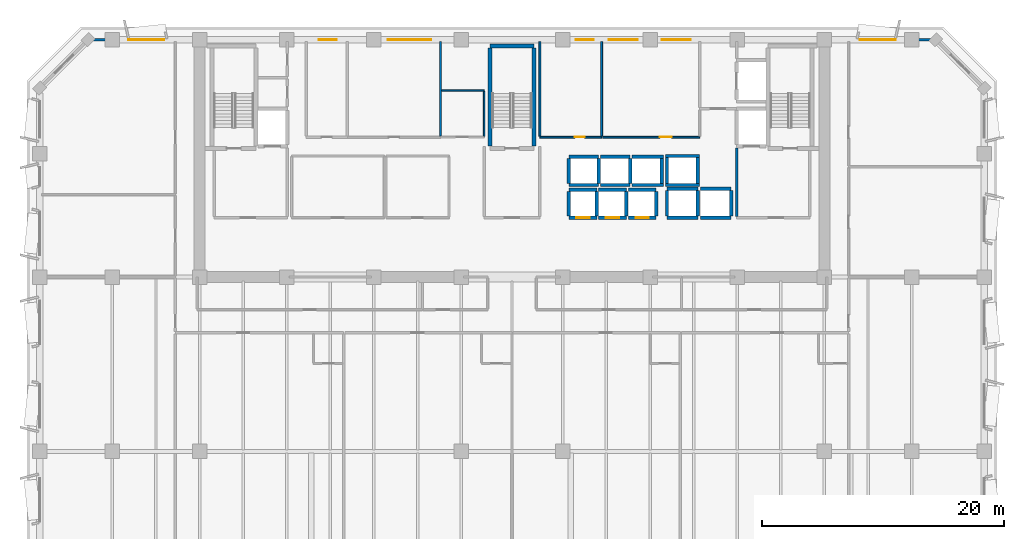
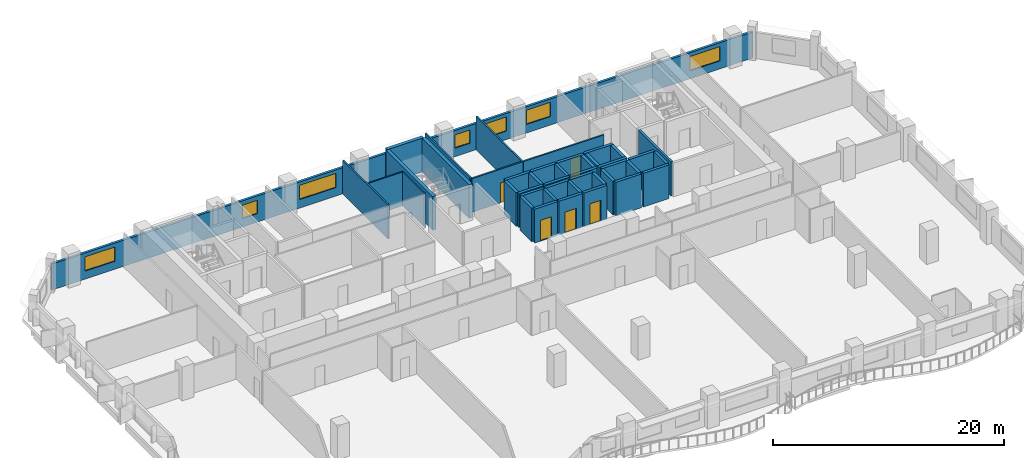
# One storey, part 7 of 14: 43 walls, 7 windows, 5 doors, 12 openings.
"""IFC4 building model written with IfcOpenShell, lengths in metres."""

from ifc_helpers import new_model, si_unit, direction, frame, frame_2d, origin, place, context, subcontext, project, spatial, rectangle, extrude, material, layer, layer_set, type_object, element, fill, save


model = new_model("IFC4")

# Units and contexts
model_context = context("Model", 3, precision=1e-05, world=origin(), true_north=direction((0.0, 1.0)))
body_context = subcontext(model_context, "Body", "Model", "MODEL_VIEW")
ifc_project = project(units=[si_unit("LENGTHUNIT", "METRE"), si_unit("AREAUNIT", "SQUARE_METRE"), si_unit("VOLUMEUNIT", "CUBIC_METRE"), si_unit("PLANEANGLEUNIT", "RADIAN"), si_unit("MASSUNIT", "GRAM", prefix="KILO")], contexts=[model_context])

# Site, building, storey
site_placement = place(None, origin())
site = spatial("IfcSite", under=ifc_project, at=site_placement, CompositionType="ELEMENT")
building_placement = place(site_placement, origin())
building = spatial("IfcBuilding", under=site, at=building_placement, Name="Kaelvorn Grand Hotel", CompositionType="ELEMENT")
storey_placement = place(building_placement, frame((0.0, 0.0, 212.949951171875)))
storey = spatial("IfcBuildingStorey", under=building, at=storey_placement, Name="L52", CompositionType="ELEMENT", Elevation=212.949951171875)

# Wall, openings, windows
ifc_material_1 = material(Name="Concrete C40/50", Category="concrete")
ifc_layer_1 = layer(ifc_material_1, 0.239990234375)
ifc_layer_set_1 = layer_set([ifc_layer_1], Name="Concrete C40/50")
wall_type_1 = type_object("IfcWallType", Name="WL-EXT-240-C40", PredefinedType="SOLIDWALL", material=ifc_layer_set_1)
wall_1_placement = place(storey_placement, frame((77.0, 49.0, 0.0), z_axis=(0.0, 0.0, 1.0), x_axis=(-1.0, 0.0, 0.0)))
wall_1 = element("IfcWall", 1, at=wall_1_placement, inside=storey, type_object=wall_type_1, Name="L52 Exterior Architectural Concrete Wall 05", PredefinedType="SOLIDWALL", context=body_context, shape_type="SweptSolid", body=[
    extrude(rectangle(XDim=70.0, YDim=0.239990234375, at=frame_2d((35.0, 0.0))), origin(), (0.0, 0.0, 1.0), 2.760009765625),
])
opening_1_placement = place(wall_1_placement, frame((63.699951171875, 0.0, 0.85009765625)))
opening_1 = element("IfcOpeningElement", 2, at=opening_1_placement, cuts=wall_1, Name="Opening W5", PredefinedType="OPENING", context=body_context, shape_type="SweptSolid", body=[
    extrude(rectangle(XDim=3.0, YDim=1.5, at=frame_2d((1.5, 0.75))), frame((0.0, 0.1298828125, 0.0), z_axis=(0.0, -1.0, 0.0), x_axis=(1.0, 0.0, 0.0)), (0.0, 0.0, 1.0), 0.260009765625),
])
opening_2_placement = place(wall_1_placement, frame((3.300048828125, 0.0, 0.85009765625)))
opening_2 = element("IfcOpeningElement", 3, at=opening_2_placement, cuts=wall_1, Name="Opening W5", PredefinedType="OPENING", context=body_context, shape_type="SweptSolid", body=[
    extrude(rectangle(XDim=3.0, YDim=1.5, at=frame_2d((1.5, 0.75))), frame((0.0, 0.1298828125, 0.0), z_axis=(0.0, -1.0, 0.0), x_axis=(1.0, 0.0, 0.0)), (0.0, 0.0, 1.0), 0.260009765625),
])
opening_3_placement = place(wall_1_placement, frame((49.465087890625, 0.0, 0.89990234375)))
opening_3 = element("IfcOpeningElement", 4, at=opening_3_placement, cuts=wall_1, Name="Opening W10", PredefinedType="OPENING", context=body_context, shape_type="SweptSolid", body=[
    extrude(rectangle(XDim=1.5, YDim=1.39990234375, at=frame_2d((0.75, 0.699951171875))), frame((0.0, 0.1298828125, 0.0), z_axis=(0.0, -1.0, 0.0), x_axis=(1.0, 0.0, 0.0)), (0.0, 0.0, 1.0), 0.260009765625),
])
opening_4_placement = place(wall_1_placement, frame((41.64990234375, 0.0, 0.89990234375)))
opening_4 = element("IfcOpeningElement", 5, at=opening_4_placement, cuts=wall_1, Name="Opening W3", PredefinedType="OPENING", context=body_context, shape_type="SweptSolid", body=[
    extrude(rectangle(XDim=3.60009765625, YDim=1.5, at=frame_2d((1.800048828125, 0.75))), frame((0.0, 0.1298828125, 0.0), z_axis=(0.0, -1.0, 0.0), x_axis=(1.0, 0.0, 0.0)), (0.0, 0.0, 1.0), 0.260009765625),
])
opening_5_placement = place(wall_1_placement, frame((28.25, 0.0, 0.89990234375)))
opening_5 = element("IfcOpeningElement", 6, at=opening_5_placement, cuts=wall_1, Name="Opening W10", PredefinedType="OPENING", context=body_context, shape_type="SweptSolid", body=[
    extrude(rectangle(XDim=1.5, YDim=1.39990234375, at=frame_2d((0.75, 0.699951171875))), frame((0.0, 0.1298828125, 0.0), z_axis=(0.0, -1.0, 0.0), x_axis=(1.0, 0.0, 0.0)), (0.0, 0.0, 1.0), 0.260009765625),
])
opening_6_placement = place(wall_1_placement, frame((24.60009765625, 0.0, 0.89990234375)))
opening_6 = element("IfcOpeningElement", 7, at=opening_6_placement, cuts=wall_1, Name="Opening W6", PredefinedType="OPENING", context=body_context, shape_type="SweptSolid", body=[
    extrude(rectangle(XDim=2.39990234375, YDim=1.5, at=frame_2d((1.199951171875, 0.75))), frame((0.0, 0.1298828125, 0.0), z_axis=(0.0, -1.0, 0.0), x_axis=(1.0, 0.0, 0.0)), (0.0, 0.0, 1.0), 0.260009765625),
])
opening_7_placement = place(wall_1_placement, frame((20.235107421875, 0.0, 0.89990234375)))
opening_7 = element("IfcOpeningElement", 8, at=opening_7_placement, cuts=wall_1, Name="Opening W6", PredefinedType="OPENING", context=body_context, shape_type="SweptSolid", body=[
    extrude(rectangle(XDim=2.39990234375, YDim=1.5, at=frame_2d((1.199951171875, 0.75))), frame((0.0, 0.1298828125, 0.0), z_axis=(0.0, -1.0, 0.0), x_axis=(1.0, 0.0, 0.0)), (0.0, 0.0, 1.0), 0.260009765625),
])
ifc_material_2 = material(Name="Laminated Low-E Glass", Category="glass")
window_type_1 = type_object("IfcWindowType", Name="WIN-COR-1500x1400", PartitioningType="SINGLE_PANEL", PredefinedType="WINDOW", material=ifc_material_2)
window_1_placement = place(opening_3_placement, origin())
window_1 = element("IfcWindow", 9, at=window_1_placement, inside=storey, type_object=window_type_1, Name="L52 North Core Clerestory Ribbon Window NC03", OverallHeight=1.39990234375, OverallWidth=1.5, PartitioningType="SINGLE_PANEL", PredefinedType="WINDOW", context=body_context, shape_type="SweptSolid", body=[
    extrude(rectangle(XDim=1.5, YDim=1.39990234375, at=frame_2d((0.75, 0.699951171875))), frame((0.0, 0.030029296875, 0.0), z_axis=(0.0, -1.0, 0.0), x_axis=(1.0, 0.0, 0.0)), (0.0, 0.0, 1.0), 0.06005859375),
])
fill(opening_3, window_1)
window_2_placement = place(opening_5_placement, origin())
window_2 = element("IfcWindow", 10, at=window_2_placement, inside=storey, type_object=window_type_1, Name="L52 North Core Clerestory Ribbon Window NC05", OverallHeight=1.39990234375, OverallWidth=1.5, PartitioningType="SINGLE_PANEL", PredefinedType="WINDOW", context=body_context, shape_type="SweptSolid", body=[
    extrude(rectangle(XDim=1.5, YDim=1.39990234375, at=frame_2d((0.75, 0.699951171875))), frame((0.0, 0.030029296875, 0.0), z_axis=(0.0, -1.0, 0.0), x_axis=(1.0, 0.0, 0.0)), (0.0, 0.0, 1.0), 0.06005859375),
])
fill(opening_5, window_2)
window_type_2 = type_object("IfcWindowType", Name="WIN-NTH-2400x1500", PartitioningType="SINGLE_PANEL", PredefinedType="WINDOW", material=ifc_material_2)
window_3_placement = place(opening_6_placement, origin())
window_3 = element("IfcWindow", 11, at=window_3_placement, inside=storey, type_object=window_type_2, Name="L52 North Core Clerestory Ribbon Window NC06", OverallHeight=1.5, OverallWidth=2.39990234375, PartitioningType="SINGLE_PANEL", PredefinedType="WINDOW", context=body_context, shape_type="SweptSolid", body=[
    extrude(rectangle(XDim=2.39990234375, YDim=1.5, at=frame_2d((1.199951171875, 0.75))), frame((0.0, 0.030029296875, 0.0), z_axis=(0.0, -1.0, 0.0), x_axis=(1.0, 0.0, 0.0)), (0.0, 0.0, 1.0), 0.06005859375),
])
fill(opening_6, window_3)
window_4_placement = place(opening_7_placement, origin())
window_4 = element("IfcWindow", 12, at=window_4_placement, inside=storey, type_object=window_type_2, Name="L52 North Core Clerestory Ribbon Window NC07", OverallHeight=1.5, OverallWidth=2.39990234375, PartitioningType="SINGLE_PANEL", PredefinedType="WINDOW", context=body_context, shape_type="SweptSolid", body=[
    extrude(rectangle(XDim=2.39990234375, YDim=1.5, at=frame_2d((1.199951171875, 0.75))), frame((0.0, 0.030029296875, 0.0), z_axis=(0.0, -1.0, 0.0), x_axis=(1.0, 0.0, 0.0)), (0.0, 0.0, 1.0), 0.06005859375),
])
fill(opening_7, window_4)
window_type_3 = type_object("IfcWindowType", Name="WIN-NTH-3000x1500", PartitioningType="SINGLE_PANEL", PredefinedType="WINDOW", material=ifc_material_2)
window_5_placement = place(opening_1_placement, origin())
window_5 = element("IfcWindow", 13, at=window_5_placement, inside=storey, type_object=window_type_3, Name="L52 North Wing Ribbon Window NW01", OverallHeight=1.5, OverallWidth=3.0, PartitioningType="SINGLE_PANEL", PredefinedType="WINDOW", context=body_context, shape_type="SweptSolid", body=[
    extrude(rectangle(XDim=3.0, YDim=1.5, at=frame_2d((1.5, 0.75))), frame((0.0, 0.030029296875, 0.0), z_axis=(0.0, -1.0, 0.0), x_axis=(1.0, 0.0, 0.0)), (0.0, 0.0, 1.0), 0.06005859375),
])
fill(opening_1, window_5)
window_6_placement = place(opening_2_placement, origin())
window_6 = element("IfcWindow", 14, at=window_6_placement, inside=storey, type_object=window_type_3, Name="L52 North Wing Ribbon Window NW02", OverallHeight=1.5, OverallWidth=3.0, PartitioningType="SINGLE_PANEL", PredefinedType="WINDOW", context=body_context, shape_type="SweptSolid", body=[
    extrude(rectangle(XDim=3.0, YDim=1.5, at=frame_2d((1.5, 0.75))), frame((0.0, 0.030029296875, 0.0), z_axis=(0.0, -1.0, 0.0), x_axis=(1.0, 0.0, 0.0)), (0.0, 0.0, 1.0), 0.06005859375),
])
fill(opening_2, window_6)
window_type_4 = type_object("IfcWindowType", Name="WIN-RIB-3600x1750", PartitioningType="SINGLE_PANEL", PredefinedType="WINDOW", material=ifc_material_2)
window_7_placement = place(opening_4_placement, origin())
window_7 = element("IfcWindow", 15, at=window_7_placement, inside=storey, type_object=window_type_4, Name="L52 North Core Clerestory Ribbon Window NC04", OverallHeight=1.5, OverallWidth=3.60009765625, PartitioningType="SINGLE_PANEL", PredefinedType="WINDOW", context=body_context, shape_type="SweptSolid", body=[
    extrude(rectangle(XDim=3.60009765625, YDim=1.5, at=frame_2d((1.800048828125, 0.75))), frame((0.0, 0.030029296875, 0.0), z_axis=(0.0, -1.0, 0.0), x_axis=(1.0, 0.0, 0.0)), (0.0, 0.0, 1.0), 0.06005859375),
])
fill(opening_4, window_7)

# Walls
ifc_material_3 = material(Name="Moisture-Resistant Tile & Stud Board")
ifc_layer_2 = layer(ifc_material_3, 0.125)
ifc_layer_set_2 = layer_set([ifc_layer_2], Name="Moisture-Resistant Tile & Stud Board")
wall_type_2 = type_object("IfcWallType", Name="WL-PART-125-WET", PredefinedType="PARTITIONING", material=ifc_layer_set_2)
wall_2_placement = place(storey_placement, frame((36.179931640625, 44.800048828125, 0.0), z_axis=(0.0, 0.0, 1.0), x_axis=(1.0, 0.0, 0.0)))
element("IfcWall", 16, at=wall_2_placement, inside=storey, type_object=wall_type_2, Name="L52 Accessible WC N Partition", PredefinedType="PARTITIONING", context=body_context, shape_type="SweptSolid", body=[
    extrude(rectangle(XDim=3.52001953125, YDim=0.125, at=frame_2d((1.760009765625, 0.0))), origin(), (0.0, 0.0, 1.0), 3.56005859375),
])
wall_3_placement = place(storey_placement, frame((39.699951171875, 41.017578125, 0.0), z_axis=(0.0, 0.0, 1.0), x_axis=(0.0, 1.0, 0.0)))
element("IfcWall", 17, at=wall_3_placement, inside=storey, type_object=wall_type_2, Name="L52 Accessible WC E Partition", PredefinedType="PARTITIONING", context=body_context, shape_type="SweptSolid", body=[
    extrude(rectangle(XDim=3.71484375, YDim=0.125, at=frame_2d((1.857421875, 0.0))), origin(), (0.0, 0.0, 1.0), 3.56005859375),
])
ifc_material_4 = material(Name="Acoustic Gypsum & Stud Partition")
ifc_layer_3 = layer(ifc_material_4, 0.14990234375)
ifc_layer_set_3 = layer_set([ifc_layer_3], Name="Acoustic Gypsum & Stud Partition")
wall_type_3 = type_object("IfcWallType", Name="WL-PART-150-EI60", PredefinedType="PARTITIONING", material=ifc_layer_set_3)
wall_4_placement = place(storey_placement, frame((36.10009765625, 41.030029296875, 0.0), z_axis=(0.0, 0.0, 1.0), x_axis=(0.0, 1.0, 0.0)))
element("IfcWall", 18, at=wall_4_placement, inside=storey, type_object=wall_type_3, Name="L52 Housekeeping & Linen Room E Partition", PredefinedType="PARTITIONING", context=body_context, shape_type="SweptSolid", body=[
    extrude(rectangle(XDim=7.820068359375, YDim=0.14990234375, at=frame_2d((3.91015625, 0.0))), origin(), (0.0, 0.0, 1.0), 3.56005859375),
])

# Wall, opening, door
wall_5_placement = place(storey_placement, frame((44.300048828125, 40.949951171875, 0.0), z_axis=(0.0, 0.0, 1.0), x_axis=(1.0, 0.0, 0.0)))
wall_5 = element("IfcWall", 19, at=wall_5_placement, inside=storey, type_object=wall_type_3, Name="L52 Laundry Chute Vestibule S Partition", PredefinedType="PARTITIONING", context=body_context, shape_type="SweptSolid", body=[
    extrude(rectangle(XDim=5.099853515625, YDim=0.14990234375, at=frame_2d((2.5498046875, 0.0))), origin(), (0.0, 0.0, 1.0), 3.56005859375),
])
opening_8_placement = place(wall_5_placement, frame((2.875, 0.0, 0.0)))
opening_8 = element("IfcOpeningElement", 20, at=opening_8_placement, cuts=wall_5, Name="Opening DI7", PredefinedType="OPENING", context=body_context, shape_type="SweptSolid", body=[
    extrude(rectangle(XDim=0.85009765625, YDim=2.10009765625, at=frame_2d((0.425048828125, 1.050048828125))), frame((0.0, 0.0849609375, 0.0), z_axis=(0.0, -1.0, 0.0), x_axis=(1.0, 0.0, 0.0)), (0.0, 0.0, 1.0), 0.169921875),
])
ifc_material_5 = material(Name="Powder-Coated Steel Leaf", Category="steel")
door_type_1 = type_object("IfcDoorType", Name="DR-INT-RISER-850x2100", OperationType="NOTDEFINED", PredefinedType="DOOR", material=ifc_material_5)
door_1_placement = place(opening_8_placement, origin())
door_1 = element("IfcDoor", 21, at=door_1_placement, inside=storey, type_object=door_type_1, Name="L52 Laundry Chute Vestibule Door", OperationType="SINGLE_SWING_RIGHT", OverallHeight=2.10009765625, OverallWidth=0.85009765625, PredefinedType="DOOR", context=body_context, shape_type="SweptSolid", body=[
    extrude(rectangle(XDim=0.85009765625, YDim=2.10009765625, at=frame_2d((0.425048828125, 1.050048828125))), frame((0.0, 0.02490234375, 0.0), z_axis=(0.0, -1.0, 0.0), x_axis=(1.0, 0.0, 0.0)), (0.0, 0.0, 1.0), 0.050048828125),
])
fill(opening_8, door_1)

# Walls
for number, where, z_axis, x_axis, name in (
    (22, (44.300048828125, 41.030029296875, 0.0), (0.0, 0.0, 1.0), (0.0, 1.0, 0.0), "L52 Laundry Chute Vestibule W Partition"),
    (23, (49.39990234375, 41.030029296875, 0.0), (0.0, 0.0, 1.0), (0.0, 1.0, 0.0), "L52 Laundry Chute Vestibule E Partition"),
):
    element("IfcWall", number, at=place(storey_placement, frame(where, z_axis=z_axis, x_axis=x_axis)), inside=storey, type_object=wall_type_3, Name=name, PredefinedType="PARTITIONING", context=body_context, shape_type="SweptSolid", body=[
        extrude(rectangle(XDim=7.820068359375, YDim=0.14990234375, at=frame_2d((3.91015625, 0.0))), origin(), (0.0, 0.0, 1.0), 3.56005859375),
    ])

# Wall, opening, door
wall_6_placement = place(storey_placement, frame((49.47998046875, 40.949951171875, 0.0), z_axis=(0.0, 0.0, 1.0), x_axis=(1.0, 0.0, 0.0)))
wall_6 = element("IfcWall", 24, at=wall_6_placement, inside=storey, type_object=wall_type_3, Name="L52 Butler Servery Pantry S Partition", PredefinedType="PARTITIONING", context=body_context, shape_type="SweptSolid", body=[
    extrude(rectangle(XDim=8.02001953125, YDim=0.14990234375, at=frame_2d((4.010009765625, 0.0))), origin(), (0.0, 0.0, 1.0), 3.56005859375),
])
opening_9_placement = place(wall_6_placement, frame((4.719970703125, 0.0, 0.0)))
opening_9 = element("IfcOpeningElement", 25, at=opening_9_placement, cuts=wall_6, Name="Opening DI3", PredefinedType="OPENING", context=body_context, shape_type="SweptSolid", body=[
    extrude(rectangle(XDim=1.0, YDim=2.14990234375, at=frame_2d((0.5, 1.074951171875))), frame((0.0, 0.0849609375, 0.0), z_axis=(0.0, -1.0, 0.0), x_axis=(1.0, 0.0, 0.0)), (0.0, 0.0, 1.0), 0.169921875),
])
ifc_material_6 = material(Name="Timber Veneer Fire Leaf", Category="wood")
door_type_2 = type_object("IfcDoorType", Name="DR-INT-GUEST-1000x2150", OperationType="NOTDEFINED", PredefinedType="DOOR", material=ifc_material_6)
door_2_placement = place(opening_9_placement, origin())
door_2 = element("IfcDoor", 26, at=door_2_placement, inside=storey, type_object=door_type_2, Name="L52 Butler Servery Pantry Door", OperationType="SINGLE_SWING_LEFT", OverallHeight=2.14990234375, OverallWidth=1.0, PredefinedType="DOOR", context=body_context, shape_type="SweptSolid", body=[
    extrude(rectangle(XDim=1.0, YDim=2.14990234375, at=frame_2d((0.5, 1.074951171875))), frame((0.0, 0.02490234375, 0.0), z_axis=(0.0, -1.0, 0.0), x_axis=(1.0, 0.0, 0.0)), (0.0, 0.0, 1.0), 0.050048828125),
])
fill(opening_9, door_2)

# Wall
ifc_layer_4 = layer(ifc_material_1, 0.219970703125)
ifc_layer_set_4 = layer_set([ifc_layer_4], Name="Concrete C40/50")
wall_type_4 = type_object("IfcWallType", Name="WL-PART-220-EI120", PredefinedType="PARTITIONING", material=ifc_layer_set_4)
wall_7_placement = place(storey_placement, frame((60.550048828125, 34.4150390625, 0.0), z_axis=(0.0, 0.0, 1.0), x_axis=(0.0, 1.0, 0.0)))
element("IfcWall", 27, at=wall_7_placement, inside=storey, type_object=wall_type_4, Name="L52 Firefighting Lift Lobby 2 W Partition", PredefinedType="PARTITIONING", context=body_context, shape_type="SweptSolid", body=[
    extrude(rectangle(XDim=5.639892578125, YDim=0.219970703125, at=frame_2d((2.81982421875, 0.0))), origin(), (0.0, 0.0, 1.0), 3.56005859375),
])

# Wall, opening, door
ifc_material_7 = material(Name="Concrete C50/60", Category="concrete")
ifc_layer_5 = layer(ifc_material_7, 0.280029296875)
ifc_layer_set_5 = layer_set([ifc_layer_5], Name="Concrete C50/60")
wall_type_5 = type_object("IfcWallType", Name="WL-SHAFT-280-C50", PredefinedType="SHEAR", material=ifc_layer_set_5)
wall_8_placement = place(storey_placement, frame((46.699951171875, 34.300048828125, 0.0), z_axis=(0.0, 0.0, 1.0), x_axis=(1.0, 0.0, 0.0)))
wall_8 = element("IfcWall", 28, at=wall_8_placement, inside=storey, type_object=wall_type_5, Name="L52 Lift PL-M1 Shaft South Wall", PredefinedType="SHEAR", context=body_context, shape_type="SweptSolid", body=[
    extrude(rectangle(XDim=2.300048828125, YDim=0.280029296875, at=frame_2d((1.14990234375, 0.0))), origin(), (0.0, 0.0, 1.0), 3.56005859375),
])
opening_10_placement = place(wall_8_placement, frame((0.60009765625, 0.0, 0.0)))
opening_10 = element("IfcOpeningElement", 29, at=opening_10_placement, cuts=wall_8, Name="Opening LD-PL-M1", PredefinedType="OPENING", context=body_context, shape_type="SweptSolid", body=[
    extrude(rectangle(XDim=1.10009765625, YDim=2.199951171875, at=frame_2d((0.550048828125, 1.10009765625))), frame((0.0, 0.14990234375, 0.0), z_axis=(0.0, -1.0, 0.0), x_axis=(1.0, 0.0, 0.0)), (0.0, 0.0, 1.0), 0.300048828125),
])
ifc_material_8 = material(Name="Stainless Steel", Category="steel")
door_type_3 = type_object("IfcDoorType", Name="DR-LIFT-PASS-1100x2200", OperationType="DOUBLE_DOOR_SLIDING", PredefinedType="DOOR", material=ifc_material_8)
door_3_placement = place(opening_10_placement, origin())
door_3 = element("IfcDoor", 30, at=door_3_placement, inside=storey, type_object=door_type_3, Name="L52 Lift PL-M1 Sliding Landing Door LD-PL-M1", OperationType="DOUBLE_DOOR_SLIDING", OverallHeight=2.199951171875, OverallWidth=1.10009765625, PredefinedType="DOOR", context=body_context, shape_type="SweptSolid", body=[
    extrude(rectangle(XDim=1.10009765625, YDim=2.199951171875, at=frame_2d((0.550048828125, 1.10009765625))), frame((0.0, 0.02490234375, 0.0), z_axis=(0.0, -1.0, 0.0), x_axis=(1.0, 0.0, 0.0)), (0.0, 0.0, 1.0), 0.050048828125),
])
fill(opening_10, door_3)

# Walls
wall_9_placement = place(storey_placement, frame((46.699951171875, 36.60009765625, 0.0), z_axis=(0.0, 0.0, 1.0), x_axis=(1.0, 0.0, 0.0)))
element("IfcWall", 31, at=wall_9_placement, inside=storey, type_object=wall_type_5, Name="L52 Lift PL-M1 Shaft North Wall", PredefinedType="SHEAR", context=body_context, shape_type="SweptSolid", body=[
    extrude(rectangle(XDim=2.300048828125, YDim=0.280029296875, at=frame_2d((1.14990234375, 0.0))), origin(), (0.0, 0.0, 1.0), 3.56005859375),
])
for number, where, z_axis, x_axis, name in (
    (32, (46.699951171875, 34.445068359375, 0.0), (0.0, 0.0, 1.0), (0.0, 1.0, 0.0), "L52 Lift PL-M1 Shaft West Wall"),
    (33, (49.0, 34.445068359375, 0.0), (0.0, 0.0, 1.0), (0.0, 1.0, 0.0), "L52 Lift PL-M1 Shaft East Wall"),
):
    element("IfcWall", number, at=place(storey_placement, frame(where, z_axis=z_axis, x_axis=x_axis)), inside=storey, type_object=wall_type_5, Name=name, PredefinedType="SHEAR", context=body_context, shape_type="SweptSolid", body=[
        extrude(rectangle(XDim=2.010009765625, YDim=0.280029296875, at=frame_2d((1.0048828125, 0.0))), origin(), (0.0, 0.0, 1.0), 3.56005859375),
    ])

# Wall, opening, door
wall_10_placement = place(storey_placement, frame((49.14990234375, 34.300048828125, 0.0), z_axis=(0.0, 0.0, 1.0), x_axis=(1.0, 0.0, 0.0)))
wall_10 = element("IfcWall", 34, at=wall_10_placement, inside=storey, type_object=wall_type_5, Name="L52 Lift PL-M2 Shaft South Wall", PredefinedType="SHEAR", context=body_context, shape_type="SweptSolid", body=[
    extrude(rectangle(XDim=2.300048828125, YDim=0.280029296875, at=frame_2d((1.14990234375, 0.0))), origin(), (0.0, 0.0, 1.0), 3.56005859375),
])
opening_11_placement = place(wall_10_placement, frame((0.60009765625, 0.0, 0.0)))
opening_11 = element("IfcOpeningElement", 35, at=opening_11_placement, cuts=wall_10, Name="Opening LD-PL-M2", PredefinedType="OPENING", context=body_context, shape_type="SweptSolid", body=[
    extrude(rectangle(XDim=1.10009765625, YDim=2.199951171875, at=frame_2d((0.550048828125, 1.10009765625))), frame((0.0, 0.14990234375, 0.0), z_axis=(0.0, -1.0, 0.0), x_axis=(1.0, 0.0, 0.0)), (0.0, 0.0, 1.0), 0.300048828125),
])
door_4_placement = place(opening_11_placement, origin())
door_4 = element("IfcDoor", 36, at=door_4_placement, inside=storey, type_object=door_type_3, Name="L52 Lift PL-M2 Sliding Landing Door LD-PL-M2", OperationType="DOUBLE_DOOR_SLIDING", OverallHeight=2.199951171875, OverallWidth=1.10009765625, PredefinedType="DOOR", context=body_context, shape_type="SweptSolid", body=[
    extrude(rectangle(XDim=1.10009765625, YDim=2.199951171875, at=frame_2d((0.550048828125, 1.10009765625))), frame((0.0, 0.02490234375, 0.0), z_axis=(0.0, -1.0, 0.0), x_axis=(1.0, 0.0, 0.0)), (0.0, 0.0, 1.0), 0.050048828125),
])
fill(opening_11, door_4)

# Walls
wall_11_placement = place(storey_placement, frame((49.14990234375, 36.60009765625, 0.0), z_axis=(0.0, 0.0, 1.0), x_axis=(1.0, 0.0, 0.0)))
element("IfcWall", 37, at=wall_11_placement, inside=storey, type_object=wall_type_5, Name="L52 Lift PL-M2 Shaft North Wall", PredefinedType="SHEAR", context=body_context, shape_type="SweptSolid", body=[
    extrude(rectangle(XDim=2.300048828125, YDim=0.280029296875, at=frame_2d((1.14990234375, 0.0))), origin(), (0.0, 0.0, 1.0), 3.56005859375),
])
wall_12_placement = place(storey_placement, frame((51.449951171875, 34.445068359375, 0.0), z_axis=(0.0, 0.0, 1.0), x_axis=(0.0, 1.0, 0.0)))
element("IfcWall", 38, at=wall_12_placement, inside=storey, type_object=wall_type_5, Name="L52 Lift PL-M2 Shaft East Wall", PredefinedType="SHEAR", context=body_context, shape_type="SweptSolid", body=[
    extrude(rectangle(XDim=2.010009765625, YDim=0.280029296875, at=frame_2d((1.0048828125, 0.0))), origin(), (0.0, 0.0, 1.0), 3.56005859375),
])

# Wall, opening, door
wall_13_placement = place(storey_placement, frame((51.60009765625, 34.300048828125, 0.0), z_axis=(0.0, 0.0, 1.0), x_axis=(1.0, 0.0, 0.0)))
wall_13 = element("IfcWall", 39, at=wall_13_placement, inside=storey, type_object=wall_type_5, Name="L52 Lift PL-M3 Shaft South Wall", PredefinedType="SHEAR", context=body_context, shape_type="SweptSolid", body=[
    extrude(rectangle(XDim=2.2998046875, YDim=0.280029296875, at=frame_2d((1.14990234375, 0.0))), origin(), (0.0, 0.0, 1.0), 3.56005859375),
])
opening_12_placement = place(wall_13_placement, frame((0.60009765625, 0.0, 0.0)))
opening_12 = element("IfcOpeningElement", 40, at=opening_12_placement, cuts=wall_13, Name="Opening LD-PL-M3", PredefinedType="OPENING", context=body_context, shape_type="SweptSolid", body=[
    extrude(rectangle(XDim=1.10009765625, YDim=2.199951171875, at=frame_2d((0.550048828125, 1.10009765625))), frame((0.0, 0.14990234375, 0.0), z_axis=(0.0, -1.0, 0.0), x_axis=(1.0, 0.0, 0.0)), (0.0, 0.0, 1.0), 0.300048828125),
])
door_5_placement = place(opening_12_placement, origin())
door_5 = element("IfcDoor", 41, at=door_5_placement, inside=storey, type_object=door_type_3, Name="L52 Lift PL-M3 Sliding Landing Door LD-PL-M3", OperationType="DOUBLE_DOOR_SLIDING", OverallHeight=2.199951171875, OverallWidth=1.10009765625, PredefinedType="DOOR", context=body_context, shape_type="SweptSolid", body=[
    extrude(rectangle(XDim=1.10009765625, YDim=2.199951171875, at=frame_2d((0.550048828125, 1.10009765625))), frame((0.0, 0.02490234375, 0.0), z_axis=(0.0, -1.0, 0.0), x_axis=(1.0, 0.0, 0.0)), (0.0, 0.0, 1.0), 0.050048828125),
])
fill(opening_12, door_5)

# Walls
wall_14_placement = place(storey_placement, frame((51.60009765625, 36.60009765625, 0.0), z_axis=(0.0, 0.0, 1.0), x_axis=(1.0, 0.0, 0.0)))
element("IfcWall", 42, at=wall_14_placement, inside=storey, type_object=wall_type_5, Name="L52 Lift PL-M3 Shaft North Wall", PredefinedType="SHEAR", context=body_context, shape_type="SweptSolid", body=[
    extrude(rectangle(XDim=2.2998046875, YDim=0.280029296875, at=frame_2d((1.14990234375, 0.0))), origin(), (0.0, 0.0, 1.0), 3.56005859375),
])
wall_15_placement = place(storey_placement, frame((53.89990234375, 34.445068359375, 0.0), z_axis=(0.0, 0.0, 1.0), x_axis=(0.0, 1.0, 0.0)))
element("IfcWall", 43, at=wall_15_placement, inside=storey, type_object=wall_type_5, Name="L52 Lift PL-M3 Shaft East Wall", PredefinedType="SHEAR", context=body_context, shape_type="SweptSolid", body=[
    extrude(rectangle(XDim=2.010009765625, YDim=0.280029296875, at=frame_2d((1.0048828125, 0.0))), origin(), (0.0, 0.0, 1.0), 3.56005859375),
])
for number, where, z_axis, x_axis, name in (
    (44, (46.699951171875, 37.0, 0.0), (0.0, 0.0, 1.0), (1.0, 0.0, 0.0), "L52 Lift SL-1 Shaft South Wall"),
    (45, (46.699951171875, 39.35009765625, 0.0), (0.0, 0.0, 1.0), (1.0, 0.0, 0.0), "L52 Lift SL-1 Shaft North Wall"),
):
    element("IfcWall", number, at=place(storey_placement, frame(where, z_axis=z_axis, x_axis=x_axis)), inside=storey, type_object=wall_type_5, Name=name, PredefinedType="SHEAR", context=body_context, shape_type="SweptSolid", body=[
        extrude(rectangle(XDim=2.449951171875, YDim=0.280029296875, at=frame_2d((1.22509765625, 0.0))), origin(), (0.0, 0.0, 1.0), 3.56005859375),
    ])
for number, where, z_axis, x_axis, name in (
    (46, (46.699951171875, 37.14501953125, 0.0), (0.0, 0.0, 1.0), (0.0, 1.0, 0.0), "L52 Lift SL-1 Shaft West Wall"),
    (47, (49.14990234375, 37.14501953125, 0.0), (0.0, 0.0, 1.0), (0.0, 1.0, 0.0), "L52 Lift SL-1 Shaft East Wall"),
):
    element("IfcWall", number, at=place(storey_placement, frame(where, z_axis=z_axis, x_axis=x_axis)), inside=storey, type_object=wall_type_5, Name=name, PredefinedType="SHEAR", context=body_context, shape_type="SweptSolid", body=[
        extrude(rectangle(XDim=2.06005859375, YDim=0.280029296875, at=frame_2d((1.030029296875, 0.0))), origin(), (0.0, 0.0, 1.0), 3.56005859375),
    ])
for number, where, z_axis, x_axis, name in (
    (48, (49.300048828125, 37.0, 0.0), (0.0, 0.0, 1.0), (1.0, 0.0, 0.0), "L52 Lift SL-2 Shaft South Wall"),
    (49, (49.300048828125, 39.35009765625, 0.0), (0.0, 0.0, 1.0), (1.0, 0.0, 0.0), "L52 Lift SL-2 Shaft North Wall"),
):
    element("IfcWall", number, at=place(storey_placement, frame(where, z_axis=z_axis, x_axis=x_axis)), inside=storey, type_object=wall_type_5, Name=name, PredefinedType="SHEAR", context=body_context, shape_type="SweptSolid", body=[
        extrude(rectangle(XDim=2.449951171875, YDim=0.280029296875, at=frame_2d((1.22509765625, 0.0))), origin(), (0.0, 0.0, 1.0), 3.56005859375),
    ])
wall_16_placement = place(storey_placement, frame((51.75, 37.14501953125, 0.0), z_axis=(0.0, 0.0, 1.0), x_axis=(0.0, 1.0, 0.0)))
element("IfcWall", 50, at=wall_16_placement, inside=storey, type_object=wall_type_5, Name="L52 Lift SL-2 Shaft East Wall", PredefinedType="SHEAR", context=body_context, shape_type="SweptSolid", body=[
    extrude(rectangle(XDim=2.06005859375, YDim=0.280029296875, at=frame_2d((1.030029296875, 0.0))), origin(), (0.0, 0.0, 1.0), 3.56005859375),
])
for number, where, z_axis, x_axis, name in (
    (51, (51.89990234375, 37.0, 0.0), (0.0, 0.0, 1.0), (1.0, 0.0, 0.0), "L52 Lift SL-3 Shaft South Wall"),
    (52, (51.89990234375, 39.35009765625, 0.0), (0.0, 0.0, 1.0), (1.0, 0.0, 0.0), "L52 Lift SL-3 Shaft North Wall"),
):
    element("IfcWall", number, at=place(storey_placement, frame(where, z_axis=z_axis, x_axis=x_axis)), inside=storey, type_object=wall_type_5, Name=name, PredefinedType="SHEAR", context=body_context, shape_type="SweptSolid", body=[
        extrude(rectangle(XDim=2.590087890625, YDim=0.280029296875, at=frame_2d((1.294921875, 0.0))), origin(), (0.0, 0.0, 1.0), 3.56005859375),
    ])
wall_17_placement = place(storey_placement, frame((54.35009765625, 37.14501953125, 0.0), z_axis=(0.0, 0.0, 1.0), x_axis=(0.0, 1.0, 0.0)))
element("IfcWall", 53, at=wall_17_placement, inside=storey, type_object=wall_type_5, Name="L52 Lift SL-3 Shaft East Wall", PredefinedType="SHEAR", context=body_context, shape_type="SweptSolid", body=[
    extrude(rectangle(XDim=2.06005859375, YDim=0.280029296875, at=frame_2d((1.030029296875, 0.0))), origin(), (0.0, 0.0, 1.0), 3.56005859375),
])
for number, where, z_axis, x_axis, name in (
    (54, (54.800048828125, 34.300048828125, 0.0), (0.0, 0.0, 1.0), (1.0, 0.0, 0.0), "L52 Lift OL-1 Shaft South Wall"),
    (55, (54.800048828125, 36.699951171875, 0.0), (0.0, 0.0, 1.0), (1.0, 0.0, 0.0), "L52 Lift OL-1 Shaft North Wall"),
):
    element("IfcWall", number, at=place(storey_placement, frame(where, z_axis=z_axis, x_axis=x_axis)), inside=storey, type_object=wall_type_5, Name=name, PredefinedType="SHEAR", context=body_context, shape_type="SweptSolid", body=[
        extrude(rectangle(XDim=2.550048828125, YDim=0.280029296875, at=frame_2d((1.27490234375, 0.0))), origin(), (0.0, 0.0, 1.0), 3.56005859375),
    ])
for number, where, z_axis, x_axis, name in (
    (56, (54.800048828125, 34.445068359375, 0.0), (0.0, 0.0, 1.0), (0.0, 1.0, 0.0), "L52 Lift OL-1 Shaft West Wall"),
    (57, (57.35009765625, 34.445068359375, 0.0), (0.0, 0.0, 1.0), (0.0, 1.0, 0.0), "L52 Lift OL-1 Shaft East Wall"),
):
    element("IfcWall", number, at=place(storey_placement, frame(where, z_axis=z_axis, x_axis=x_axis)), inside=storey, type_object=wall_type_5, Name=name, PredefinedType="SHEAR", context=body_context, shape_type="SweptSolid", body=[
        extrude(rectangle(XDim=2.10986328125, YDim=0.280029296875, at=frame_2d((1.054931640625, 0.0))), origin(), (0.0, 0.0, 1.0), 3.56005859375),
    ])
for number, where, z_axis, x_axis, name in (
    (58, (57.550048828125, 34.300048828125, 0.0), (0.0, 0.0, 1.0), (1.0, 0.0, 0.0), "L52 Lift OL-2 Shaft South Wall"),
    (59, (57.550048828125, 36.699951171875, 0.0), (0.0, 0.0, 1.0), (1.0, 0.0, 0.0), "L52 Lift OL-2 Shaft North Wall"),
):
    element("IfcWall", number, at=place(storey_placement, frame(where, z_axis=z_axis, x_axis=x_axis)), inside=storey, type_object=wall_type_5, Name=name, PredefinedType="SHEAR", context=body_context, shape_type="SweptSolid", body=[
        extrude(rectangle(XDim=2.550048828125, YDim=0.280029296875, at=frame_2d((1.27490234375, 0.0))), origin(), (0.0, 0.0, 1.0), 3.56005859375),
    ])
wall_18_placement = place(storey_placement, frame((60.10009765625, 34.445068359375, 0.0), z_axis=(0.0, 0.0, 1.0), x_axis=(0.0, 1.0, 0.0)))
element("IfcWall", 60, at=wall_18_placement, inside=storey, type_object=wall_type_5, Name="L52 Lift OL-2 Shaft East Wall", PredefinedType="SHEAR", context=body_context, shape_type="SweptSolid", body=[
    extrude(rectangle(XDim=2.10986328125, YDim=0.280029296875, at=frame_2d((1.054931640625, 0.0))), origin(), (0.0, 0.0, 1.0), 3.56005859375),
])
for number, where, z_axis, x_axis, name in (
    (61, (54.659912109375, 37.0, 0.0), (0.0, 0.0, 1.0), (1.0, 0.0, 0.0), "L52 Lift OL-3 Shaft South Wall"),
    (62, (54.659912109375, 39.39990234375, 0.0), (0.0, 0.0, 1.0), (1.0, 0.0, 0.0), "L52 Lift OL-3 Shaft North Wall"),
):
    element("IfcWall", number, at=place(storey_placement, frame(where, z_axis=z_axis, x_axis=x_axis)), inside=storey, type_object=wall_type_5, Name=name, PredefinedType="SHEAR", context=body_context, shape_type="SweptSolid", body=[
        extrude(rectangle(XDim=2.830078125, YDim=0.280029296875, at=frame_2d((1.4150390625, 0.0))), origin(), (0.0, 0.0, 1.0), 3.56005859375),
    ])
for number, where, z_axis, x_axis, name in (
    (63, (54.800048828125, 37.14501953125, 0.0), (0.0, 0.0, 1.0), (0.0, 1.0, 0.0), "L52 Lift OL-3 Shaft West Wall"),
    (64, (57.35009765625, 37.14501953125, 0.0), (0.0, 0.0, 1.0), (0.0, 1.0, 0.0), "L52 Lift OL-3 Shaft East Wall"),
):
    element("IfcWall", number, at=place(storey_placement, frame(where, z_axis=z_axis, x_axis=x_axis)), inside=storey, type_object=wall_type_5, Name=name, PredefinedType="SHEAR", context=body_context, shape_type="SweptSolid", body=[
        extrude(rectangle(XDim=2.10986328125, YDim=0.280029296875, at=frame_2d((1.054931640625, 0.0))), origin(), (0.0, 0.0, 1.0), 3.56005859375),
    ])
ifc_material_9 = material(Name="Concrete C60/75", Category="concrete")
ifc_layer_6 = layer(ifc_material_9, 0.35009765625)
ifc_layer_set_6 = layer_set([ifc_layer_6], Name="Concrete C60/75")
wall_type_6 = type_object("IfcWallType", Name="WL-SHAFT-350-C60", PredefinedType="SHEAR", material=ifc_layer_set_6)
wall_19_placement = place(storey_placement, frame((40.18505859375, 48.47509765625, 0.0), z_axis=(0.0, 0.0, 1.0), x_axis=(1.0, 0.0, 0.0)))
element("IfcWall", 65, at=wall_19_placement, inside=storey, type_object=wall_type_6, Name="L52 ST2 Stair Shaft North Wall", PredefinedType="SHEAR", context=body_context, shape_type="SweptSolid", body=[
    extrude(rectangle(XDim=3.6298828125, YDim=0.35009765625, at=frame_2d((1.81494140625, 0.0))), origin(), (0.0, 0.0, 1.0), 3.56005859375),
])
for number, where, z_axis, x_axis, name in (
    (66, (40.18505859375, 40.205078125, 0.0), (0.0, 0.0, 1.0), (0.0, 1.0, 0.0), "L52 ST2 Stair Shaft West Wall"),
    (67, (43.81494140625, 40.205078125, 0.0), (0.0, 0.0, 1.0), (0.0, 1.0, 0.0), "L52 ST2 Stair Shaft East Wall"),
):
    element("IfcWall", number, at=place(storey_placement, frame(where, z_axis=z_axis, x_axis=x_axis)), inside=storey, type_object=wall_type_6, Name=name, PredefinedType="SHEAR", context=body_context, shape_type="SweptSolid", body=[
        extrude(rectangle(XDim=8.08984375, YDim=0.35009765625, at=frame_2d((4.044921875, 0.0))), origin(), (0.0, 0.0, 1.0), 3.56005859375),
    ])

save(model, "model.ifc")
